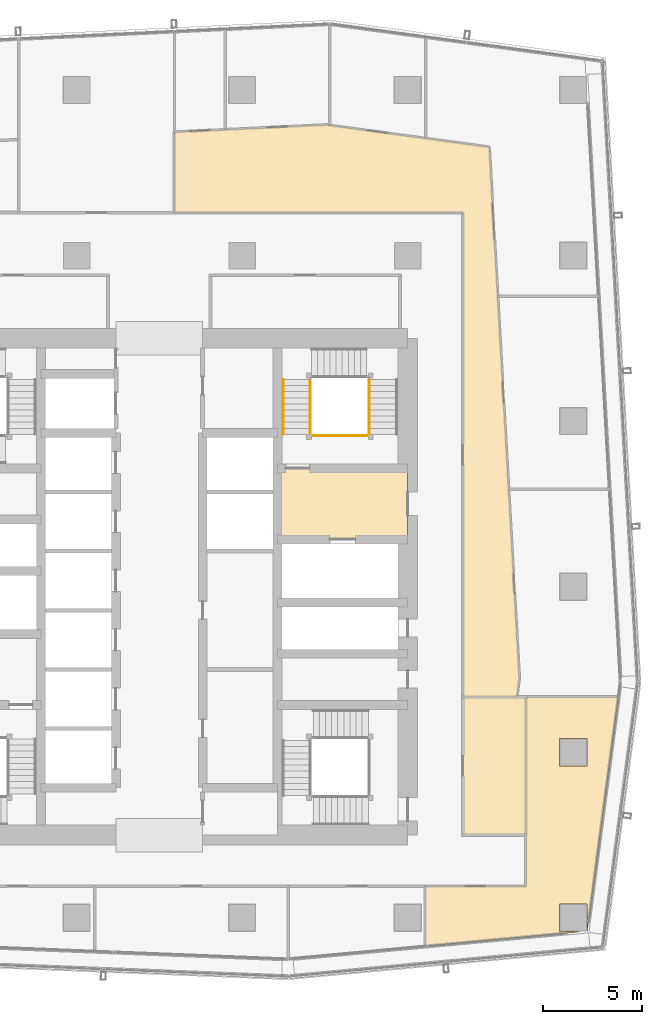
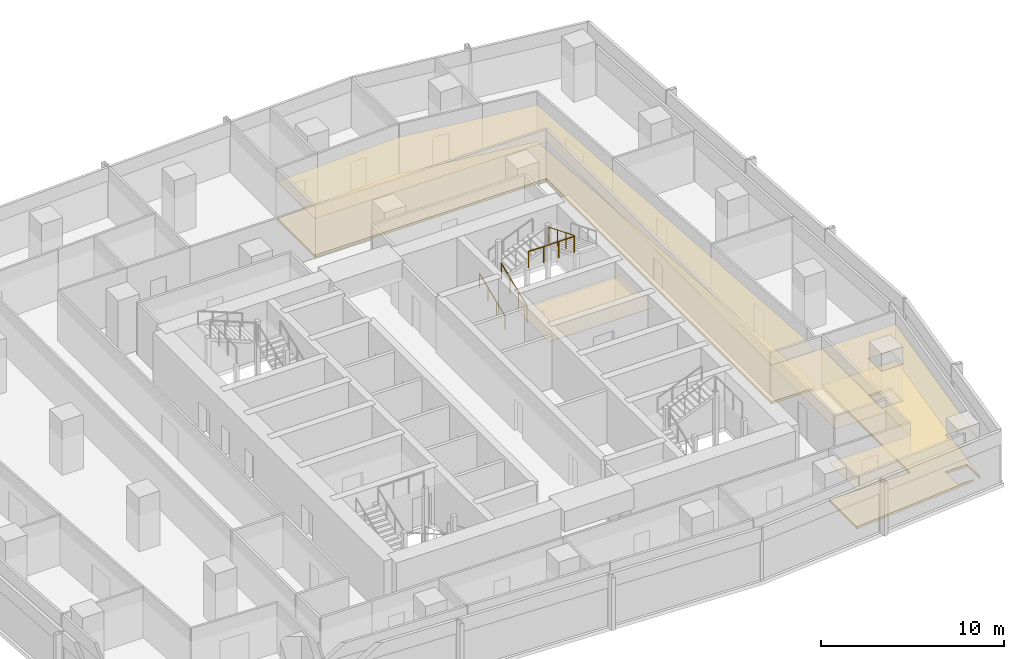
# One storey, part 36 of 38: 6 coverings, 4 railings.
"""IFC4 building model written with IfcOpenShell, lengths in metres."""

from ifc_helpers import new_model, si_unit, direction, frame, origin, origin_2d, place, context, subcontext, project, spatial, polyline, circle, outline, extrude, material, layer, layer_set, type_object, element, save


model = new_model("IFC4")

# Units and contexts
model_context = context("Model", 3, precision=1e-05, world=origin(), true_north=direction((0.0, 1.0)))
body_context = subcontext(model_context, "Body", "Model", "MODEL_VIEW")
ifc_project = project(units=[si_unit("LENGTHUNIT", "METRE"), si_unit("AREAUNIT", "SQUARE_METRE"), si_unit("VOLUMEUNIT", "CUBIC_METRE"), si_unit("PLANEANGLEUNIT", "RADIAN"), si_unit("MASSUNIT", "GRAM", prefix="KILO")], contexts=[model_context])

# Site, building, storey
site_placement = place(None, origin())
site = spatial("IfcSite", under=ifc_project, at=site_placement, CompositionType="ELEMENT")
building_placement = place(site_placement, origin())
building = spatial("IfcBuilding", under=site, at=building_placement, Name="Rekha Terrace Tower", CompositionType="ELEMENT")
storey_placement = place(building_placement, frame((0.0, 0.0, 195.199951171875)))
storey = spatial("IfcBuildingStorey", under=building, at=storey_placement, Name="L49", CompositionType="ELEMENT", Elevation=195.199951171875)

# Coverings
ifc_material_1 = material(Name="Mineral fibre tile in exposed grid", Category="finish")
ifc_layer_1 = layer(ifc_material_1, 0.02001953125)
ifc_layer_set_1 = layer_set([ifc_layer_1], Name="Mineral fibre tile in exposed grid")
covering_type_1 = type_object("IfcCoveringType", Name="CL1 600x1200 office grid ceiling", PredefinedType="CEILING", material=ifc_layer_set_1)
covering_1_placement = place(storey_placement, frame((0.0, 0.0, 2.580078125)))
element("IfcCovering", 1, at=covering_1_placement, inside=storey, type_object=covering_type_1, Name="Ceiling L49-04", PredefinedType="CEILING", context=body_context, shape_type="SweptSolid", body=[
    extrude(outline(polyline([(59.489990234375, 16.12890625), (59.510009765625, 16.1279296875), (61.083984375, 28.012939453125), (56.39990234375, 28.012939453125), (56.39990234375, 18.39990234375), (51.291015625, 18.39990234375), (51.291015625, 15.362060546875), (59.080078125, 16.0869140625), (59.0791015625, 16.110107421875), (58.110107421875, 16.110107421875), (58.110107421875, 17.489990234375), (59.489990234375, 17.489990234375), (59.489990234375, 16.12890625)]), holes=[polyline([(59.489990234375, 24.510009765625), (58.110107421875, 24.510009765625), (58.110107421875, 25.889892578125), (59.489990234375, 25.889892578125), (59.489990234375, 24.510009765625)])]), origin(), (0.0, 0.0, 1.0), 0.02001953125),
])
covering_2_placement = place(storey_placement, frame((0.0, 0.0, 2.580078125)))
element("IfcCovering", 2, at=covering_2_placement, inside=storey, type_object=covering_type_1, Name="Ceiling L49-O1", PredefinedType="CEILING", context=body_context, shape_type="SweptSolid", body=[
    extrude(outline(polyline([(41.15087890625, 56.7890625), (41.15087890625, 56.7880859375), (38.570068359375, 56.6650390625), (38.570068359375, 52.574951171875), (53.199951171875, 52.574951171875), (53.199951171875, 28.0), (55.93798828125, 28.0), (56.06689453125, 28.971923828125), (55.52197265625, 38.571044921875), (54.967041015625, 48.346923828125), (54.5380859375, 55.905029296875), (51.31201171875, 56.343994140625), (46.444091796875, 57.007080078125), (46.2548828125, 57.031982421875), (41.15087890625, 56.7890625)])), origin(), (0.0, 0.0, 1.0), 0.02001953125),
])
ifc_material_2 = material(Name="Fibre cement board", Category="finish")
ifc_layer_2 = layer(ifc_material_2, 0.014892578125)
ifc_layer_set_2 = layer_set([ifc_layer_2], Name="Fibre cement board")
covering_type_2 = type_object("IfcCoveringType", Name="CL2 moisture-resistant board ceiling", PredefinedType="CEILING", material=ifc_layer_set_2)
covering_3_placement = place(storey_placement, frame((0.0, 0.0, 2.5849609375)))
element("IfcCovering", 3, at=covering_3_placement, inside=storey, type_object=covering_type_2, Name="Ceiling L49-WCM2", PredefinedType="CEILING", context=body_context, shape_type="SweptSolid", body=[
    extrude(outline(polyline([(56.39990234375, 28.0), (53.199951171875, 28.0), (53.199951171875, 21.0), (56.39990234375, 21.0), (56.39990234375, 28.0)])), origin(), (0.0, 0.0, 1.0), 0.01513671875),
])
ifc_material_3 = material(Name="Powder-coated aluminium pan", Category="aluminium")
ifc_layer_3 = layer(ifc_material_3, 0.030029296875)
ifc_layer_set_3 = layer_set([ifc_layer_3], Name="Powder-coated aluminium pan")
covering_type_3 = type_object("IfcCoveringType", Name="CL3 300x1200 metal pan ceiling", PredefinedType="CEILING", material=ifc_layer_set_3)
covering_4_placement = place(storey_placement, frame((0.0, 0.0, 2.570068359375)))
element("IfcCovering", 4, at=covering_4_placement, inside=storey, type_object=covering_type_3, Name="Ceiling L49-FLB2", PredefinedType="CEILING", context=body_context, shape_type="SweptSolid", body=[
    extrude(outline(polyline([(50.39990234375, 39.60009765625), (43.800048828125, 39.60009765625), (43.800048828125, 36.0), (50.39990234375, 36.0), (50.39990234375, 39.60009765625)])), origin(), (0.0, 0.0, 1.0), 0.030029296875),
])

# Railings
ifc_material_4 = material(Name="Stainless steel balustrade", Category="steel")
railing_type_1 = type_object("IfcRailingType", Name="GR1 1100 stair guard", PredefinedType="GUARDRAIL", material=ifc_material_4)
railing_1_placement = place(storey_placement, frame((45.465087890625, 41.324951171875, 0.125)))
element("IfcRailing", 5, at=railing_1_placement, inside=storey, type_object=railing_type_1, Name="Guard ST2 L49 flight 1", PredefinedType="GUARDRAIL", context=body_context, shape_type="SweptSolid", body=[
    extrude(circle(Radius=0.02392578125, at=origin_2d()), frame((0.0, 0.0, 1.076171875), z_axis=(0.0, 0.927443287984, 0.373963831907), x_axis=(-1.0, 0.0, 0.0)), (0.0, 0.0, 1.0), 3.00830078125),
    extrude(circle(Radius=0.02099609375, at=origin_2d()), origin(), (0.0, 0.0, 1.0), 1.052001953125),
    extrude(circle(Radius=0.02099609375, at=origin_2d()), frame((0.0, 0.929931640625, 0.375)), (0.0, 0.0, 1.0), 1.052001953125),
    extrude(circle(Radius=0.02099609375, at=origin_2d()), frame((0.0, 1.860107421875, 0.75)), (0.0, 0.0, 1.0), 1.052001953125),
    extrude(circle(Radius=0.02099609375, at=origin_2d()), frame((0.0, 2.7900390625, 1.125)), (0.0, 0.0, 1.0), 1.052001953125),
])
railing_2_placement = place(storey_placement, frame((48.4599609375, 44.114990234375, 2.625)))
element("IfcRailing", 6, at=railing_2_placement, inside=storey, type_object=railing_type_1, Name="Guard ST2 L49 flight 3", PredefinedType="GUARDRAIL", context=body_context, shape_type="SweptSolid", body=[
    extrude(circle(Radius=0.02392578125, at=origin_2d()), frame((0.0, 0.0, 1.076171875), z_axis=(0.0, -0.927443287984, 0.373963831907), x_axis=(1.0, 0.0, 0.0)), (0.0, 0.0, 1.0), 3.00830078125),
    extrude(circle(Radius=0.02099609375, at=origin_2d()), origin(), (0.0, 0.0, 1.0), 1.052001953125),
    extrude(circle(Radius=0.02099609375, at=origin_2d()), frame((0.0, -0.929931640625, 0.375)), (0.0, 0.0, 1.0), 1.052001953125),
    extrude(circle(Radius=0.02099609375, at=origin_2d()), frame((0.0, -1.860107421875, 0.75)), (0.0, 0.0, 1.0), 1.052001953125),
    extrude(circle(Radius=0.02099609375, at=origin_2d()), frame((0.0, -2.7900390625, 1.125)), (0.0, 0.0, 1.0), 1.052001953125),
])
railing_3_placement = place(storey_placement, frame((45.52490234375, 41.264892578125, 3.75)))
element("IfcRailing", 7, at=railing_3_placement, inside=storey, type_object=railing_type_1, Name="Guard ST2 L49 landing 4", PredefinedType="GUARDRAIL", context=body_context, shape_type="SweptSolid", body=[
    extrude(circle(Radius=0.02392578125, at=origin_2d()), frame((0.0, 0.0, 1.076171875), z_axis=(1.0, 0.0, 0.0), x_axis=(0.0, 1.0, 0.0)), (0.0, 0.0, 1.0), 2.875),
    extrude(circle(Radius=0.02099609375, at=origin_2d()), origin(), (0.0, 0.0, 1.0), 1.052001953125),
    extrude(circle(Radius=0.02099609375, at=origin_2d()), frame((0.958251953125, 0.0, 0.0)), (0.0, 0.0, 1.0), 1.052001953125),
    extrude(circle(Radius=0.02099609375, at=origin_2d()), frame((1.916748046875, 0.0, 0.0)), (0.0, 0.0, 1.0), 1.052001953125),
    extrude(circle(Radius=0.02099609375, at=origin_2d()), frame((2.875, 0.0, 0.0)), (0.0, 0.0, 1.0), 1.052001953125),
])
ifc_material_5 = material(Name="Stainless steel tube", Category="steel")
railing_type_2 = type_object("IfcRailingType", Name="HR1 900 stair handrail", PredefinedType="HANDRAIL", material=ifc_material_5)
railing_4_placement = place(storey_placement, frame((44.0849609375, 41.324951171875, 0.125)))
element("IfcRailing", 8, at=railing_4_placement, inside=storey, type_object=railing_type_2, Name="Handrail ST2 L49 flight 1", PredefinedType="HANDRAIL", context=body_context, shape_type="SweptSolid", body=[
    extrude(circle(Radius=0.02392578125, at=origin_2d()), frame((0.0, 0.0, 0.8759765625), z_axis=(0.0, 0.927443287984, 0.373963831907), x_axis=(-1.0, 0.0, 0.0)), (0.0, 0.0, 1.0), 3.00830078125),
    extrude(circle(Radius=0.02099609375, at=origin_2d()), origin(), (0.0, 0.0, 1.0), 0.851806640625),
    extrude(circle(Radius=0.02099609375, at=origin_2d()), frame((0.0, 0.929931640625, 0.375)), (0.0, 0.0, 1.0), 0.851806640625),
    extrude(circle(Radius=0.02099609375, at=origin_2d()), frame((0.0, 1.860107421875, 0.75)), (0.0, 0.0, 1.0), 0.851806640625),
    extrude(circle(Radius=0.02099609375, at=origin_2d()), frame((0.0, 2.7900390625, 1.125)), (0.0, 0.0, 1.0), 0.851806640625),
])

# Coverings
ifc_material_6 = material(Name="Calcium sulphate panels on steel pedestals", Category="steel")
ifc_layer_4 = layer(ifc_material_6, 0.14990234375)
ifc_layer_set_4 = layer_set([ifc_layer_4], Name="Calcium sulphate panels on steel pedestals")
covering_type_4 = type_object("IfcCoveringType", Name="RF1 150 raised access floor", PredefinedType="FLOORING", material=ifc_layer_set_4)
covering_5_placement = place(storey_placement, origin())
element("IfcCovering", 9, at=covering_5_placement, inside=storey, type_object=covering_type_4, Name="Raised floor L49-04", PredefinedType="FLOORING", context=body_context, shape_type="SweptSolid", body=[
    extrude(outline(polyline([(59.489990234375, 16.12890625), (59.510009765625, 16.1279296875), (61.083984375, 28.012939453125), (56.39990234375, 28.012939453125), (56.39990234375, 18.39990234375), (51.291015625, 18.39990234375), (51.291015625, 15.362060546875), (59.080078125, 16.0869140625), (59.0791015625, 16.110107421875), (58.110107421875, 16.110107421875), (58.110107421875, 17.489990234375), (59.489990234375, 17.489990234375), (59.489990234375, 16.12890625)]), holes=[polyline([(59.489990234375, 24.510009765625), (58.110107421875, 24.510009765625), (58.110107421875, 25.889892578125), (59.489990234375, 25.889892578125), (59.489990234375, 24.510009765625)])]), origin(), (0.0, 0.0, 1.0), 0.150146484375),
])
covering_6_placement = place(storey_placement, origin())
element("IfcCovering", 10, at=covering_6_placement, inside=storey, type_object=covering_type_4, Name="Raised floor L49-O1", PredefinedType="FLOORING", context=body_context, shape_type="SweptSolid", body=[
    extrude(outline(polyline([(41.15087890625, 56.7890625), (41.15087890625, 56.7880859375), (38.570068359375, 56.6650390625), (38.570068359375, 52.574951171875), (53.199951171875, 52.574951171875), (53.199951171875, 28.0), (55.93798828125, 28.0), (56.06689453125, 28.971923828125), (55.52197265625, 38.571044921875), (54.967041015625, 48.346923828125), (54.5380859375, 55.905029296875), (51.31201171875, 56.343994140625), (46.444091796875, 57.007080078125), (46.2548828125, 57.031982421875), (41.15087890625, 56.7890625)])), origin(), (0.0, 0.0, 1.0), 0.150146484375),
])

save(model, "model.ifc")
